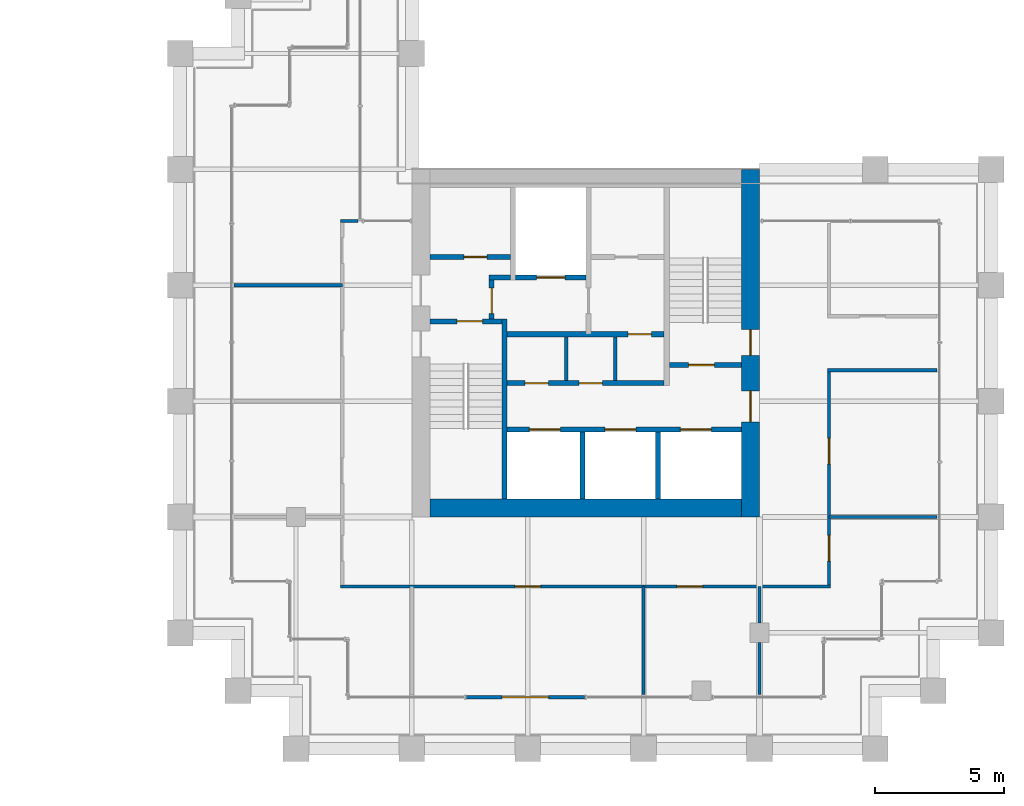
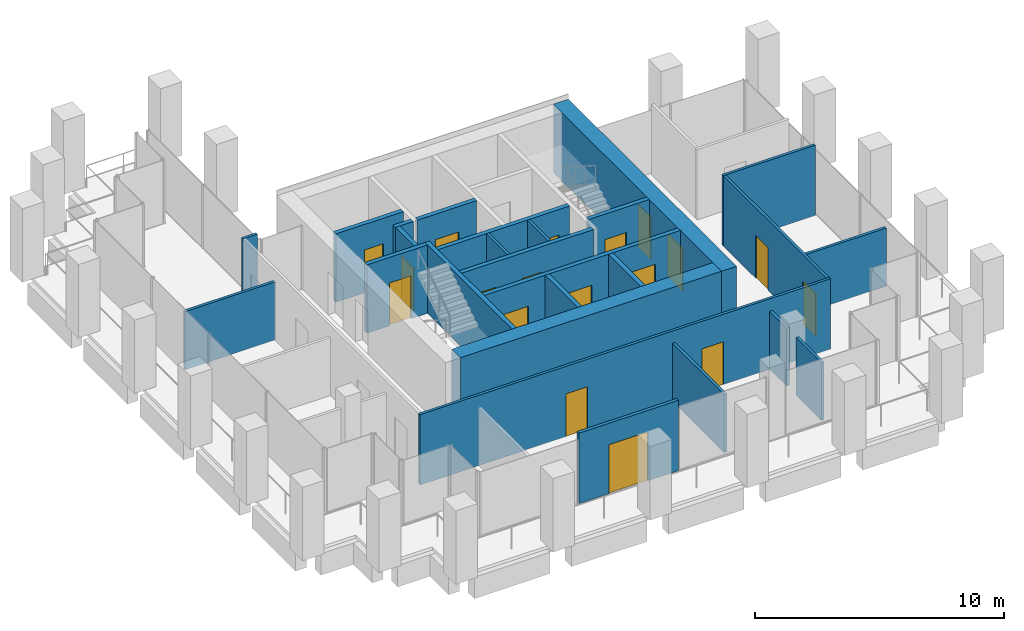
# One storey, part 43 of 47: 26 walls, 18 doors, 18 openings.
"""IFC4 building model written with IfcOpenShell, lengths in metres."""

from ifc_helpers import new_model, si_unit, direction, frame, frame_2d, origin, place, context, subcontext, project, spatial, rectangle, extrude, material, layer, layer_set, type_object, element, fill, save


model = new_model("IFC4")

# Units and contexts
model_context = context("Model", 3, precision=1e-05, world=origin(), true_north=direction((0.0, 1.0)))
body_context = subcontext(model_context, "Body", "Model", "MODEL_VIEW")
ifc_project = project(units=[si_unit("LENGTHUNIT", "METRE"), si_unit("AREAUNIT", "SQUARE_METRE"), si_unit("VOLUMEUNIT", "CUBIC_METRE"), si_unit("PLANEANGLEUNIT", "RADIAN"), si_unit("MASSUNIT", "GRAM", prefix="KILO")], contexts=[model_context])

# Site, building, storey
site_placement = place(None, origin())
site = spatial("IfcSite", under=ifc_project, at=site_placement, CompositionType="ELEMENT")
building_placement = place(site_placement, origin())
building = spatial("IfcBuilding", under=site, at=building_placement, Name="Altepetl Exchange Towers", CompositionType="ELEMENT")
storey_placement = place(building_placement, frame((0.0, 0.0, 95.60009765625)))
storey = spatial("IfcBuildingStorey", under=building, at=storey_placement, Name="L23", CompositionType="ELEMENT", Elevation=95.60009765625)

# Wall, openings, doors
ifc_material_1 = material(Name="Concrete C70/85", Category="concrete")
ifc_layer_1 = layer(ifc_material_1, 0.699951171875)
ifc_layer_set_1 = layer_set([ifc_layer_1], Name="Concrete C70/85")
wall_type_1 = type_object("IfcWallType", Name="Core wall 700 reinforced concrete", PredefinedType="SHEAR", material=ifc_layer_set_1)
wall_1_placement = place(storey_placement, frame((116.64990234375, 36.0, 0.0), z_axis=(0.0, 0.0, 1.0), x_axis=(0.0, 1.0, 0.0)))
wall_1 = element("IfcWall", 1, at=wall_1_placement, inside=storey, type_object=wall_type_1, Name="wall:B:L23:K-coreE", PredefinedType="SHEAR", context=body_context, shape_type="SweptSolid", body=[
    extrude(rectangle(XDim=13.5, YDim=0.699951171875, at=frame_2d((6.75, 0.0))), origin(), (0.0, 0.0, 1.0), 3.349853515625),
])
opening_1_placement = place(wall_1_placement, frame((3.699951171875, 0.0, 0.0)))
opening_1 = element("IfcOpeningElement", 2, at=opening_1_placement, cuts=wall_1, Name="Opening L23.B61", PredefinedType="OPENING", context=body_context, shape_type="SweptSolid", body=[
    extrude(rectangle(XDim=1.199951171875, YDim=2.10009765625, at=frame_2d((0.60009765625, 1.050048828125))), frame((0.0, 0.35986328125, 0.0), z_axis=(0.0, -1.0, 0.0), x_axis=(1.0, 0.0, 0.0)), (0.0, 0.0, 1.0), 0.719970703125),
])
opening_2_placement = place(wall_1_placement, frame((6.27490234375, 0.0, 0.0)))
opening_2 = element("IfcOpeningElement", 3, at=opening_2_placement, cuts=wall_1, Name="Opening L23.B65", PredefinedType="OPENING", context=body_context, shape_type="SweptSolid", body=[
    extrude(rectangle(XDim=1.0, YDim=2.10009765625, at=frame_2d((0.5, 1.050048828125))), frame((0.0, 0.35986328125, 0.0), z_axis=(0.0, -1.0, 0.0), x_axis=(1.0, 0.0, 0.0)), (0.0, 0.0, 1.0), 0.719970703125),
])
ifc_material_2 = material(Name="Steel and timber fire door", Category="steel")
door_type_1 = type_object("IfcDoorType", Name="Fire door 1000 x 2100 stair and lobby", OperationType="SINGLE_SWING_LEFT", PredefinedType="DOOR", material=ifc_material_2)
door_1_placement = place(opening_2_placement, origin())
door_1 = element("IfcDoor", 4, at=door_1_placement, inside=storey, type_object=door_type_1, Name="door:B:L23:K-dS2x", OperationType="SINGLE_SWING_LEFT", OverallHeight=2.10009765625, OverallWidth=1.0, PredefinedType="DOOR", context=body_context, shape_type="SweptSolid", body=[
    extrude(rectangle(XDim=1.0, YDim=2.10009765625, at=frame_2d((0.5, 1.050048828125))), frame((0.0, 0.02490234375, 0.0), z_axis=(0.0, -1.0, 0.0), x_axis=(1.0, 0.0, 0.0)), (0.0, 0.0, 1.0), 0.050048828125),
])
fill(opening_2, door_1)
door_type_2 = type_object("IfcDoorType", Name="Fire door 1200 x 2100 lobby entry", OperationType="SINGLE_SWING_LEFT", PredefinedType="DOOR", material=ifc_material_2)
door_2_placement = place(opening_1_placement, origin())
door_2 = element("IfcDoor", 5, at=door_2_placement, inside=storey, type_object=door_type_2, Name="door:B:L23:K-dLSE", OperationType="SINGLE_SWING_RIGHT", OverallHeight=2.10009765625, OverallWidth=1.199951171875, PredefinedType="DOOR", context=body_context, shape_type="SweptSolid", body=[
    extrude(rectangle(XDim=1.199951171875, YDim=2.10009765625, at=frame_2d((0.60009765625, 1.050048828125))), frame((0.0, 0.02490234375, 0.0), z_axis=(0.0, -1.0, 0.0), x_axis=(1.0, 0.0, 0.0)), (0.0, 0.0, 1.0), 0.050048828125),
])
fill(opening_1, door_2)

# Wall
wall_2_placement = place(storey_placement, frame((104.199951171875, 36.35009765625, 0.0)))
element("IfcWall", 6, at=wall_2_placement, inside=storey, type_object=wall_type_1, Name="wall:B:L23:K-coreS", PredefinedType="SHEAR", context=body_context, shape_type="SweptSolid", body=[
    extrude(rectangle(XDim=12.10009765625, YDim=0.699951171875, at=frame_2d((6.050048828125, 0.0))), origin(), (0.0, 0.0, 1.0), 3.349853515625),
])

# Wall, opening, door
ifc_material_3 = material(Name="Aluminium composite cladding", Category="aluminium")
ifc_layer_2 = layer(ifc_material_3, 0.14990234375)
ifc_layer_set_2 = layer_set([ifc_layer_2], Name="Aluminium composite cladding")
wall_type_2 = type_object("IfcWallType", Name="Infill wall 150 aluminium panel", PredefinedType="SOLIDWALL", material=ifc_layer_set_2)
wall_3_placement = place(storey_placement, frame((105.606201171875, 29.0, 0.0)))
wall_3 = element("IfcWall", 7, at=wall_3_placement, inside=storey, type_object=wall_type_2, Name="Loggia door bay wall", PredefinedType="SOLIDWALL", context=body_context, shape_type="SweptSolid", body=[
    extrude(rectangle(XDim=4.606201171875, YDim=0.14990234375, at=frame_2d((2.30322265625, 0.0))), origin(), (0.0, 0.0, 1.0), 3.449951171875),
])
opening_3_placement = place(wall_3_placement, frame((1.403076171875, 0.0, 0.0)))
opening_3 = element("IfcOpeningElement", 8, at=opening_3_placement, cuts=wall_3, Name="Opening L23.B90", PredefinedType="OPENING", context=body_context, shape_type="SweptSolid", body=[
    extrude(rectangle(XDim=1.800048828125, YDim=2.39990234375, at=frame_2d((0.89990234375, 1.199951171875))), frame((0.0, 0.0849609375, 0.0), z_axis=(0.0, -1.0, 0.0), x_axis=(1.0, 0.0, 0.0)), (0.0, 0.0, 1.0), 0.169921875),
])
ifc_material_4 = material(Name="Aluminium 6063-T6 and glass", Category="aluminium")
door_type_3 = type_object("IfcDoorType", Name="Glazed door pair 1800x2400", OperationType="DOUBLE_DOOR_DOUBLE_SWING", PredefinedType="NOTDEFINED", material=ifc_material_4)
door_3_placement = place(opening_3_placement, frame((1.800048828125, 0.0, 0.0), x_axis=(-1.0, 0.0, 0.0)))
door_3 = element("IfcDoor", 9, at=door_3_placement, inside=storey, type_object=door_type_3, Name="Loggia door", OperationType="DOUBLE_DOOR_DOUBLE_SWING", OverallHeight=2.39990234375, OverallWidth=1.800048828125, PredefinedType="NOTDEFINED", context=body_context, shape_type="SweptSolid", body=[
    extrude(rectangle(XDim=1.800048828125, YDim=2.39990234375, at=frame_2d((0.89990234375, 1.199951171875))), frame((0.0, 0.02490234375, 0.0), z_axis=(0.0, -1.0, 0.0), x_axis=(1.0, 0.0, 0.0)), (0.0, 0.0, 1.0), 0.050048828125),
])
fill(opening_3, door_3)

# Wall
ifc_material_5 = material(Name="Concrete blockwork", Category="masonry")
ifc_layer_3 = layer(ifc_material_5, 0.199951171875)
ifc_layer_set_3 = layer_set([ifc_layer_3], Name="Concrete blockwork")
wall_type_3 = type_object("IfcWallType", Name="Lobby wall 200 blockwork", PredefinedType="PARTITIONING", material=ifc_layer_set_3)
wall_4_placement = place(storey_placement, frame((106.5, 45.300048828125, 0.0)))
element("IfcWall", 10, at=wall_4_placement, inside=storey, type_object=wall_type_3, Name="wall:B:L23:K-ffNw", PredefinedType="PARTITIONING", context=body_context, shape_type="SweptSolid", body=[
    extrude(rectangle(XDim=0.833251953125, YDim=0.199951171875, at=frame_2d((0.41650390625, 0.0))), origin(), (0.0, 0.0, 1.0), 3.349853515625),
])

# Wall, opening, door
wall_5_placement = place(storey_placement, frame((106.60009765625, 43.699951171875, 0.0), z_axis=(0.0, 0.0, 1.0), x_axis=(0.0, 1.0, 0.0)))
wall_5 = element("IfcWall", 11, at=wall_5_placement, inside=storey, type_object=wall_type_3, Name="wall:B:L23:K-ffW", PredefinedType="PARTITIONING", context=body_context, shape_type="SweptSolid", body=[
    extrude(rectangle(XDim=1.5, YDim=0.199951171875, at=frame_2d((0.75, 0.0))), origin(), (0.0, 0.0, 1.0), 3.349853515625),
])
opening_4_placement = place(wall_5_placement, frame((0.199951171875, 0.0, 0.0)))
opening_4 = element("IfcOpeningElement", 12, at=opening_4_placement, cuts=wall_5, Name="Opening L23.B67", PredefinedType="OPENING", context=body_context, shape_type="SweptSolid", body=[
    extrude(rectangle(XDim=1.0, YDim=2.10009765625, at=frame_2d((0.5, 1.050048828125))), frame((0.0, 0.10986328125, 0.0), z_axis=(0.0, -1.0, 0.0), x_axis=(1.0, 0.0, 0.0)), (0.0, 0.0, 1.0), 0.219970703125),
])
door_4_placement = place(opening_4_placement, frame((1.0, 0.0, 0.0), x_axis=(-1.0, 0.0, 0.0)))
door_4 = element("IfcDoor", 13, at=door_4_placement, inside=storey, type_object=door_type_1, Name="door:B:L23:K-dffW", OperationType="SINGLE_SWING_LEFT", OverallHeight=2.10009765625, OverallWidth=1.0, PredefinedType="DOOR", context=body_context, shape_type="SweptSolid", body=[
    extrude(rectangle(XDim=1.0, YDim=2.10009765625, at=frame_2d((0.5, 1.050048828125))), frame((0.0, 0.02490234375, 0.0), z_axis=(0.0, -1.0, 0.0), x_axis=(1.0, 0.0, 0.0)), (0.0, 0.0, 1.0), 0.050048828125),
])
fill(opening_4, door_4)

wall_6_placement = place(storey_placement, frame((107.199951171875, 43.10009765625, 0.0)))
wall_6 = element("IfcWall", 14, at=wall_6_placement, inside=storey, type_object=wall_type_3, Name="wall:B:L23:K-zoneN", PredefinedType="PARTITIONING", context=body_context, shape_type="SweptSolid", body=[
    extrude(rectangle(XDim=6.10009765625, YDim=0.199951171875, at=frame_2d((3.050048828125, 0.0))), origin(), (0.0, 0.0, 1.0), 3.349853515625),
])
opening_5_placement = place(wall_6_placement, frame((4.699951171875, 0.0, 0.0)))
opening_5 = element("IfcOpeningElement", 15, at=opening_5_placement, cuts=wall_6, Name="Opening L23.B72", PredefinedType="OPENING", context=body_context, shape_type="SweptSolid", body=[
    extrude(rectangle(XDim=0.89990234375, YDim=2.10009765625, at=frame_2d((0.449951171875, 1.050048828125))), frame((0.0, 0.10986328125, 0.0), z_axis=(0.0, -1.0, 0.0), x_axis=(1.0, 0.0, 0.0)), (0.0, 0.0, 1.0), 0.219970703125),
])
door_type_4 = type_object("IfcDoorType", Name="Fire door 900 x 2100 service room", OperationType="SINGLE_SWING_LEFT", PredefinedType="DOOR", material=ifc_material_2)
door_5_placement = place(opening_5_placement, frame((0.89990234375, 0.0, 0.0), x_axis=(-1.0, 0.0, 0.0)))
door_5 = element("IfcDoor", 16, at=door_5_placement, inside=storey, type_object=door_type_4, Name="door:B:L23:K-dz3", OperationType="SINGLE_SWING_RIGHT", OverallHeight=2.10009765625, OverallWidth=0.89990234375, PredefinedType="DOOR", context=body_context, shape_type="SweptSolid", body=[
    extrude(rectangle(XDim=0.89990234375, YDim=2.10009765625, at=frame_2d((0.449951171875, 1.050048828125))), frame((0.0, 0.02490234375, 0.0), z_axis=(0.0, -1.0, 0.0), x_axis=(1.0, 0.0, 0.0)), (0.0, 0.0, 1.0), 0.050048828125),
])
fill(opening_5, door_5)

# Wall, openings, doors
wall_7_placement = place(storey_placement, frame((107.199951171875, 41.199951171875, 0.0)))
wall_7 = element("IfcWall", 17, at=wall_7_placement, inside=storey, type_object=wall_type_3, Name="wall:B:L23:K-zoneS", PredefinedType="PARTITIONING", context=body_context, shape_type="SweptSolid", body=[
    extrude(rectangle(XDim=6.10009765625, YDim=0.199951171875, at=frame_2d((3.050048828125, 0.0))), origin(), (0.0, 0.0, 1.0), 3.349853515625),
])
opening_6_placement = place(wall_7_placement, frame((0.699951171875, 0.0, 0.0)))
opening_6 = element("IfcOpeningElement", 18, at=opening_6_placement, cuts=wall_7, Name="Opening L23.B70", PredefinedType="OPENING", context=body_context, shape_type="SweptSolid", body=[
    extrude(rectangle(XDim=0.89990234375, YDim=2.10009765625, at=frame_2d((0.449951171875, 1.050048828125))), frame((0.0, 0.10986328125, 0.0), z_axis=(0.0, -1.0, 0.0), x_axis=(1.0, 0.0, 0.0)), (0.0, 0.0, 1.0), 0.219970703125),
])
opening_7_placement = place(wall_7_placement, frame((2.800048828125, 0.0, 0.0)))
opening_7 = element("IfcOpeningElement", 19, at=opening_7_placement, cuts=wall_7, Name="Opening L23.B71", PredefinedType="OPENING", context=body_context, shape_type="SweptSolid", body=[
    extrude(rectangle(XDim=0.89990234375, YDim=2.10009765625, at=frame_2d((0.449951171875, 1.050048828125))), frame((0.0, 0.10986328125, 0.0), z_axis=(0.0, -1.0, 0.0), x_axis=(1.0, 0.0, 0.0)), (0.0, 0.0, 1.0), 0.219970703125),
])
door_6_placement = place(opening_6_placement, origin())
door_6 = element("IfcDoor", 20, at=door_6_placement, inside=storey, type_object=door_type_4, Name="door:B:L23:K-dz1", OperationType="SINGLE_SWING_RIGHT", OverallHeight=2.10009765625, OverallWidth=0.89990234375, PredefinedType="DOOR", context=body_context, shape_type="SweptSolid", body=[
    extrude(rectangle(XDim=0.89990234375, YDim=2.10009765625, at=frame_2d((0.449951171875, 1.050048828125))), frame((0.0, 0.02490234375, 0.0), z_axis=(0.0, -1.0, 0.0), x_axis=(1.0, 0.0, 0.0)), (0.0, 0.0, 1.0), 0.050048828125),
])
fill(opening_6, door_6)
door_7_placement = place(opening_7_placement, origin())
door_7 = element("IfcDoor", 21, at=door_7_placement, inside=storey, type_object=door_type_4, Name="door:B:L23:K-dz2", OperationType="SINGLE_SWING_RIGHT", OverallHeight=2.10009765625, OverallWidth=0.89990234375, PredefinedType="DOOR", context=body_context, shape_type="SweptSolid", body=[
    extrude(rectangle(XDim=0.89990234375, YDim=2.10009765625, at=frame_2d((0.449951171875, 1.050048828125))), frame((0.0, 0.02490234375, 0.0), z_axis=(0.0, -1.0, 0.0), x_axis=(1.0, 0.0, 0.0)), (0.0, 0.0, 1.0), 0.050048828125),
])
fill(opening_7, door_7)

# Walls
ifc_material_6 = material(Name="Gypsum board on steel studs", Category="steel")
ifc_layer_4 = layer(ifc_material_6, 0.125)
ifc_layer_set_4 = layer_set([ifc_layer_4], Name="Gypsum board on steel studs")
wall_type_4 = type_object("IfcWallType", Name="Partition 125 gypsum board on steel studs", PredefinedType="PARTITIONING", material=ifc_layer_set_4)
for number, where, z_axis, x_axis, name in (
    (22, (109.5, 41.300048828125, 0.0), (0.0, 0.0, 1.0), (0.0, 1.0, 0.0), "wall:B:L23:K-zp1"),
    (23, (111.39990234375, 41.300048828125, 0.0), (0.0, 0.0, 1.0), (0.0, 1.0, 0.0), "wall:B:L23:K-zp2"),
):
    element("IfcWall", number, at=place(storey_placement, frame(where, z_axis=z_axis, x_axis=x_axis)), inside=storey, type_object=wall_type_4, Name=name, PredefinedType="PARTITIONING", context=body_context, shape_type="SweptSolid", body=[
        extrude(rectangle(XDim=1.699951171875, YDim=0.125, at=frame_2d((0.85009765625, 0.0))), origin(), (0.0, 0.0, 1.0), 3.349853515625),
    ])

# Wall, openings, doors
wall_8_placement = place(storey_placement, frame((100.737548828125, 33.300048828125, 0.0)))
wall_8 = element("IfcWall", 24, at=wall_8_placement, inside=storey, type_object=wall_type_4, Name="wall:B:L23:P01", PredefinedType="PARTITIONING", context=body_context, shape_type="SweptSolid", body=[
    extrude(rectangle(XDim=19.02490234375, YDim=0.125, at=frame_2d((9.512451171875, 0.0))), origin(), (0.0, 0.0, 1.0), 3.449951171875),
])
opening_8_placement = place(wall_8_placement, frame((6.762451171875, 0.0, 0.0)))
opening_8 = element("IfcOpeningElement", 25, at=opening_8_placement, cuts=wall_8, Name="Opening L23.B04", PredefinedType="OPENING", context=body_context, shape_type="SweptSolid", body=[
    extrude(rectangle(XDim=1.0, YDim=2.10009765625, at=frame_2d((0.5, 1.050048828125))), frame((0.0, 0.072509765625, 0.0), z_axis=(0.0, -1.0, 0.0), x_axis=(1.0, 0.0, 0.0)), (0.0, 0.0, 1.0), 0.14501953125),
])
opening_9_placement = place(wall_8_placement, frame((13.0576171875, 0.0, 0.0)))
opening_9 = element("IfcOpeningElement", 26, at=opening_9_placement, cuts=wall_8, Name="Opening L23.B05", PredefinedType="OPENING", context=body_context, shape_type="SweptSolid", body=[
    extrude(rectangle(XDim=1.0, YDim=2.10009765625, at=frame_2d((0.5, 1.050048828125))), frame((0.0, 0.072509765625, 0.0), z_axis=(0.0, -1.0, 0.0), x_axis=(1.0, 0.0, 0.0)), (0.0, 0.0, 1.0), 0.14501953125),
])
door_type_5 = type_object("IfcDoorType", Name="Fire door 1000 x 2100 single leaf", OperationType="SINGLE_SWING_LEFT", PredefinedType="DOOR", material=ifc_material_2)
door_8_placement = place(opening_8_placement, frame((1.0, 0.0, 0.0), x_axis=(-1.0, 0.0, 0.0)))
door_8 = element("IfcDoor", 27, at=door_8_placement, inside=storey, type_object=door_type_5, Name="door:B:L23:04", OperationType="SINGLE_SWING_RIGHT", OverallHeight=2.10009765625, OverallWidth=1.0, PredefinedType="DOOR", context=body_context, shape_type="SweptSolid", body=[
    extrude(rectangle(XDim=1.0, YDim=2.10009765625, at=frame_2d((0.5, 1.050048828125))), frame((0.0, 0.02490234375, 0.0), z_axis=(0.0, -1.0, 0.0), x_axis=(1.0, 0.0, 0.0)), (0.0, 0.0, 1.0), 0.050048828125),
])
fill(opening_8, door_8)
door_9_placement = place(opening_9_placement, frame((1.0, 0.0, 0.0), x_axis=(-1.0, 0.0, 0.0)))
door_9 = element("IfcDoor", 28, at=door_9_placement, inside=storey, type_object=door_type_5, Name="door:B:L23:05", OperationType="SINGLE_SWING_RIGHT", OverallHeight=2.10009765625, OverallWidth=1.0, PredefinedType="DOOR", context=body_context, shape_type="SweptSolid", body=[
    extrude(rectangle(XDim=1.0, YDim=2.10009765625, at=frame_2d((0.5, 1.050048828125))), frame((0.0, 0.02490234375, 0.0), z_axis=(0.0, -1.0, 0.0), x_axis=(1.0, 0.0, 0.0)), (0.0, 0.0, 1.0), 0.050048828125),
])
fill(opening_9, door_9)

# Walls
wall_9_placement = place(storey_placement, frame((119.699951171875, 36.0, 0.0)))
element("IfcWall", 29, at=wall_9_placement, inside=storey, type_object=wall_type_4, Name="wall:B:L23:P04", PredefinedType="PARTITIONING", context=body_context, shape_type="SweptSolid", body=[
    extrude(rectangle(XDim=4.199951171875, YDim=0.125, at=frame_2d((2.10009765625, 0.0))), origin(), (0.0, 0.0, 1.0), 2.850830078125),
])
wall_10_placement = place(storey_placement, frame((119.637451171875, 41.699951171875, 0.0)))
element("IfcWall", 30, at=wall_10_placement, inside=storey, type_object=wall_type_4, Name="wall:B:L23:P06", PredefinedType="PARTITIONING", context=body_context, shape_type="SweptSolid", body=[
    extrude(rectangle(XDim=4.262451171875, YDim=0.125, at=frame_2d((2.13134765625, 0.0))), origin(), (0.0, 0.0, 1.0), 3.449951171875),
])
wall_11_placement = place(storey_placement, frame((96.60009765625, 45.0, 0.0)))
element("IfcWall", 31, at=wall_11_placement, inside=storey, type_object=wall_type_4, Name="wall:B:L23:P08", PredefinedType="PARTITIONING", context=body_context, shape_type="SweptSolid", body=[
    extrude(rectangle(XDim=4.199951171875, YDim=0.125, at=frame_2d((2.10009765625, 0.0))), origin(), (0.0, 0.0, 1.0), 2.850830078125),
])
wall_12_placement = place(storey_placement, frame((100.737548828125, 47.5, 0.0)))
element("IfcWall", 32, at=wall_12_placement, inside=storey, type_object=wall_type_4, Name="wall:B:L23:P09", PredefinedType="PARTITIONING", context=body_context, shape_type="SweptSolid", body=[
    extrude(rectangle(XDim=0.662353515625, YDim=0.125, at=frame_2d((0.3310546875, 0.0))), origin(), (0.0, 0.0, 1.0), 3.449951171875),
])
wall_13_placement = place(storey_placement, frame((112.5, 29.10009765625, 0.0), z_axis=(0.0, 0.0, 1.0), x_axis=(0.0, 1.0, 0.0)))
element("IfcWall", 33, at=wall_13_placement, inside=storey, type_object=wall_type_4, Name="wall:B:L23:P12", PredefinedType="PARTITIONING", context=body_context, shape_type="SweptSolid", body=[
    extrude(rectangle(XDim=4.199951171875, YDim=0.125, at=frame_2d((2.10009765625, 0.0))), origin(), (0.0, 0.0, 1.0), 2.850830078125),
])
wall_14_placement = place(storey_placement, frame((117.0, 29.10009765625, 0.0), z_axis=(0.0, 0.0, 1.0), x_axis=(0.0, 1.0, 0.0)))
element("IfcWall", 34, at=wall_14_placement, inside=storey, type_object=wall_type_4, Name="wall:B:L23:P13", PredefinedType="PARTITIONING", context=body_context, shape_type="SweptSolid", body=[
    extrude(rectangle(XDim=2.02490234375, YDim=0.125, at=frame_2d((1.012451171875, 0.0))), origin(), (0.0, 0.0, 1.0), 2.841796875),
])
wall_15_placement = place(storey_placement, frame((117.0, 31.875, 0.0), z_axis=(0.0, 0.0, 1.0), x_axis=(0.0, 1.0, 0.0)))
element("IfcWall", 35, at=wall_15_placement, inside=storey, type_object=wall_type_4, Name="wall:B:L23:P14", PredefinedType="PARTITIONING", context=body_context, shape_type="SweptSolid", body=[
    extrude(rectangle(XDim=1.425048828125, YDim=0.125, at=frame_2d((0.71240234375, 0.0))), origin(), (0.0, 0.0, 1.0), 2.841796875),
])

# Wall, openings, doors
wall_16_placement = place(storey_placement, frame((119.699951171875, 33.362548828125, 0.0), z_axis=(0.0, 0.0, 1.0), x_axis=(0.0, 1.0, 0.0)))
wall_16 = element("IfcWall", 36, at=wall_16_placement, inside=storey, type_object=wall_type_4, Name="wall:B:L23:P15", PredefinedType="PARTITIONING", context=body_context, shape_type="SweptSolid", body=[
    extrude(rectangle(XDim=8.27490234375, YDim=0.125, at=frame_2d((4.137451171875, 0.0))), origin(), (0.0, 0.0, 1.0), 3.449951171875),
])
opening_10_placement = place(wall_16_placement, frame((0.927490234375, 0.0, 0.0)))
opening_10 = element("IfcOpeningElement", 37, at=opening_10_placement, cuts=wall_16, Name="Opening L23.B06", PredefinedType="OPENING", context=body_context, shape_type="SweptSolid", body=[
    extrude(rectangle(XDim=1.0, YDim=2.10009765625, at=frame_2d((0.5, 1.050048828125))), frame((0.0, 0.072509765625, 0.0), z_axis=(0.0, -1.0, 0.0), x_axis=(1.0, 0.0, 0.0)), (0.0, 0.0, 1.0), 0.14501953125),
])
opening_11_placement = place(wall_16_placement, frame((4.6875, 0.0, 0.0)))
opening_11 = element("IfcOpeningElement", 38, at=opening_11_placement, cuts=wall_16, Name="Opening L23.B07", PredefinedType="OPENING", context=body_context, shape_type="SweptSolid", body=[
    extrude(rectangle(XDim=1.0, YDim=2.10009765625, at=frame_2d((0.5, 1.050048828125))), frame((0.0, 0.072509765625, 0.0), z_axis=(0.0, -1.0, 0.0), x_axis=(1.0, 0.0, 0.0)), (0.0, 0.0, 1.0), 0.14501953125),
])
door_10_placement = place(opening_10_placement, origin())
door_10 = element("IfcDoor", 39, at=door_10_placement, inside=storey, type_object=door_type_5, Name="door:B:L23:06", OperationType="SINGLE_SWING_LEFT", OverallHeight=2.10009765625, OverallWidth=1.0, PredefinedType="DOOR", context=body_context, shape_type="SweptSolid", body=[
    extrude(rectangle(XDim=1.0, YDim=2.10009765625, at=frame_2d((0.5, 1.050048828125))), frame((0.0, 0.02490234375, 0.0), z_axis=(0.0, -1.0, 0.0), x_axis=(1.0, 0.0, 0.0)), (0.0, 0.0, 1.0), 0.050048828125),
])
fill(opening_10, door_10)
door_11_placement = place(opening_11_placement, frame((1.0, 0.0, 0.0), x_axis=(-1.0, 0.0, 0.0)))
door_11 = element("IfcDoor", 40, at=door_11_placement, inside=storey, type_object=door_type_5, Name="door:B:L23:07", OperationType="SINGLE_SWING_LEFT", OverallHeight=2.10009765625, OverallWidth=1.0, PredefinedType="DOOR", context=body_context, shape_type="SweptSolid", body=[
    extrude(rectangle(XDim=1.0, YDim=2.10009765625, at=frame_2d((0.5, 1.050048828125))), frame((0.0, 0.02490234375, 0.0), z_axis=(0.0, -1.0, 0.0), x_axis=(1.0, 0.0, 0.0)), (0.0, 0.0, 1.0), 0.050048828125),
])
fill(opening_11, door_11)

# Walls
ifc_material_7 = material(Name="Concrete C40/50", Category="concrete")
ifc_layer_5 = layer(ifc_material_7, 0.199951171875)
ifc_layer_set_5 = layer_set([ifc_layer_5], Name="Concrete C40/50")
wall_type_5 = type_object("IfcWallType", Name="Shaft wall 200 reinforced concrete", PredefinedType="SHEAR", material=ifc_layer_set_5)
for number, where, z_axis, x_axis, name in (
    (41, (110.13330078125, 36.699951171875, 0.0), (0.0, 0.0, 1.0), (0.0, 1.0, 0.0), "wall:B:L23:K-divS1"),
    (42, (113.066650390625, 36.699951171875, 0.0), (0.0, 0.0, 1.0), (0.0, 1.0, 0.0), "wall:B:L23:K-divS2"),
):
    element("IfcWall", number, at=place(storey_placement, frame(where, z_axis=z_axis, x_axis=x_axis)), inside=storey, type_object=wall_type_5, Name=name, PredefinedType="SHEAR", context=body_context, shape_type="SweptSolid", body=[
        extrude(rectangle(XDim=2.60009765625, YDim=0.199951171875, at=frame_2d((1.300048828125, 0.0))), origin(), (0.0, 0.0, 1.0), 3.349853515625),
    ])

# Wall, opening, door
wall_17_placement = place(storey_placement, frame((104.199951171875, 46.10009765625, 0.0)))
wall_17 = element("IfcWall", 43, at=wall_17_placement, inside=storey, type_object=wall_type_5, Name="wall:B:L23:K-frontNa", PredefinedType="SHEAR", context=body_context, shape_type="SweptSolid", body=[
    extrude(rectangle(XDim=3.13330078125, YDim=0.199951171875, at=frame_2d((1.566650390625, 0.0))), origin(), (0.0, 0.0, 1.0), 3.349853515625),
])
opening_12_placement = place(wall_17_placement, frame((1.316650390625, 0.0, 0.0)))
opening_12 = element("IfcOpeningElement", 44, at=opening_12_placement, cuts=wall_17, Name="Opening L23.B68", PredefinedType="OPENING", context=body_context, shape_type="SweptSolid", body=[
    extrude(rectangle(XDim=0.89990234375, YDim=2.10009765625, at=frame_2d((0.449951171875, 1.050048828125))), frame((0.0, 0.10986328125, 0.0), z_axis=(0.0, -1.0, 0.0), x_axis=(1.0, 0.0, 0.0)), (0.0, 0.0, 1.0), 0.219970703125),
])
door_12_placement = place(opening_12_placement, origin())
door_12 = element("IfcDoor", 45, at=door_12_placement, inside=storey, type_object=door_type_4, Name="door:B:L23:K-dslotN0", OperationType="SINGLE_SWING_RIGHT", OverallHeight=2.10009765625, OverallWidth=0.89990234375, PredefinedType="DOOR", context=body_context, shape_type="SweptSolid", body=[
    extrude(rectangle(XDim=0.89990234375, YDim=2.10009765625, at=frame_2d((0.449951171875, 1.050048828125))), frame((0.0, 0.02490234375, 0.0), z_axis=(0.0, -1.0, 0.0), x_axis=(1.0, 0.0, 0.0)), (0.0, 0.0, 1.0), 0.050048828125),
])
fill(opening_12, door_12)

wall_18_placement = place(storey_placement, frame((107.533203125, 45.300048828125, 0.0)))
wall_18 = element("IfcWall", 46, at=wall_18_placement, inside=storey, type_object=wall_type_5, Name="wall:B:L23:K-frontNd", PredefinedType="SHEAR", context=body_context, shape_type="SweptSolid", body=[
    extrude(rectangle(XDim=2.7333984375, YDim=0.199951171875, at=frame_2d((1.36669921875, 0.0))), origin(), (0.0, 0.0, 1.0), 3.349853515625),
])
opening_13_placement = place(wall_18_placement, frame((0.816650390625, 0.0, 0.0)))
opening_13 = element("IfcOpeningElement", 47, at=opening_13_placement, cuts=wall_18, Name="Opening L23.B73", PredefinedType="OPENING", context=body_context, shape_type="SweptSolid", body=[
    extrude(rectangle(XDim=1.10009765625, YDim=2.10009765625, at=frame_2d((0.550048828125, 1.050048828125))), frame((0.0, 0.10986328125, 0.0), z_axis=(0.0, -1.0, 0.0), x_axis=(1.0, 0.0, 0.0)), (0.0, 0.0, 1.0), 0.219970703125),
])
ifc_material_8 = material(Name="Stainless steel", Category="steel")
door_type_6 = type_object("IfcDoorType", Name="Lift landing door 1100 x 2100", OperationType="SLIDING_TO_LEFT", PredefinedType="DOOR", material=ifc_material_8)
door_13_placement = place(opening_13_placement, origin())
door_13 = element("IfcDoor", 48, at=door_13_placement, inside=storey, type_object=door_type_6, Name="Landing door FFL1", OperationType="SLIDING_TO_LEFT", OverallHeight=2.10009765625, OverallWidth=1.10009765625, PredefinedType="DOOR", context=body_context, shape_type="SweptSolid", body=[
    extrude(rectangle(XDim=1.10009765625, YDim=2.10009765625, at=frame_2d((0.550048828125, 1.050048828125))), frame((0.0, 0.02490234375, 0.0), z_axis=(0.0, -1.0, 0.0), x_axis=(1.0, 0.0, 0.0)), (0.0, 0.0, 1.0), 0.050048828125),
])
fill(opening_13, door_13)

# Wall, openings, doors
wall_19_placement = place(storey_placement, frame((107.199951171875, 39.39990234375, 0.0)))
wall_19 = element("IfcWall", 49, at=wall_19_placement, inside=storey, type_object=wall_type_5, Name="wall:B:L23:K-frontS", PredefinedType="SHEAR", context=body_context, shape_type="SweptSolid", body=[
    extrude(rectangle(XDim=9.10009765625, YDim=0.199951171875, at=frame_2d((4.550048828125, 0.0))), origin(), (0.0, 0.0, 1.0), 3.349853515625),
])
opening_14_placement = place(wall_19_placement, frame((0.86669921875, 0.0, 0.0)))
opening_14 = element("IfcOpeningElement", 50, at=opening_14_placement, cuts=wall_19, Name="Opening L23.B74", PredefinedType="OPENING", context=body_context, shape_type="SweptSolid", body=[
    extrude(rectangle(XDim=1.199951171875, YDim=2.10009765625, at=frame_2d((0.60009765625, 1.050048828125))), frame((0.0, 0.10986328125, 0.0), z_axis=(0.0, -1.0, 0.0), x_axis=(1.0, 0.0, 0.0)), (0.0, 0.0, 1.0), 0.219970703125),
])
opening_15_placement = place(wall_19_placement, frame((3.800048828125, 0.0, 0.0)))
opening_15 = element("IfcOpeningElement", 51, at=opening_15_placement, cuts=wall_19, Name="Opening L23.B75", PredefinedType="OPENING", context=body_context, shape_type="SweptSolid", body=[
    extrude(rectangle(XDim=1.199951171875, YDim=2.10009765625, at=frame_2d((0.60009765625, 1.050048828125))), frame((0.0, 0.10986328125, 0.0), z_axis=(0.0, -1.0, 0.0), x_axis=(1.0, 0.0, 0.0)), (0.0, 0.0, 1.0), 0.219970703125),
])
opening_16_placement = place(wall_19_placement, frame((6.7333984375, 0.0, 0.0)))
opening_16 = element("IfcOpeningElement", 52, at=opening_16_placement, cuts=wall_19, Name="Opening L23.B76", PredefinedType="OPENING", context=body_context, shape_type="SweptSolid", body=[
    extrude(rectangle(XDim=1.199951171875, YDim=2.10009765625, at=frame_2d((0.60009765625, 1.050048828125))), frame((0.0, 0.10986328125, 0.0), z_axis=(0.0, -1.0, 0.0), x_axis=(1.0, 0.0, 0.0)), (0.0, 0.0, 1.0), 0.219970703125),
])
door_type_7 = type_object("IfcDoorType", Name="Lift landing door 1200 x 2100", OperationType="SLIDING_TO_LEFT", PredefinedType="DOOR", material=ifc_material_8)
door_14_placement = place(opening_14_placement, origin())
door_14 = element("IfcDoor", 53, at=door_14_placement, inside=storey, type_object=door_type_7, Name="Landing door P1", OperationType="SLIDING_TO_LEFT", OverallHeight=2.10009765625, OverallWidth=1.199951171875, PredefinedType="DOOR", context=body_context, shape_type="SweptSolid", body=[
    extrude(rectangle(XDim=1.199951171875, YDim=2.10009765625, at=frame_2d((0.60009765625, 1.050048828125))), frame((0.0, 0.02490234375, 0.0), z_axis=(0.0, -1.0, 0.0), x_axis=(1.0, 0.0, 0.0)), (0.0, 0.0, 1.0), 0.050048828125),
])
fill(opening_14, door_14)
door_15_placement = place(opening_15_placement, origin())
door_15 = element("IfcDoor", 54, at=door_15_placement, inside=storey, type_object=door_type_7, Name="Landing door P2", OperationType="SLIDING_TO_LEFT", OverallHeight=2.10009765625, OverallWidth=1.199951171875, PredefinedType="DOOR", context=body_context, shape_type="SweptSolid", body=[
    extrude(rectangle(XDim=1.199951171875, YDim=2.10009765625, at=frame_2d((0.60009765625, 1.050048828125))), frame((0.0, 0.02490234375, 0.0), z_axis=(0.0, -1.0, 0.0), x_axis=(1.0, 0.0, 0.0)), (0.0, 0.0, 1.0), 0.050048828125),
])
fill(opening_15, door_15)
door_16_placement = place(opening_16_placement, origin())
door_16 = element("IfcDoor", 55, at=door_16_placement, inside=storey, type_object=door_type_7, Name="Landing door P3", OperationType="SLIDING_TO_LEFT", OverallHeight=2.10009765625, OverallWidth=1.199951171875, PredefinedType="DOOR", context=body_context, shape_type="SweptSolid", body=[
    extrude(rectangle(XDim=1.199951171875, YDim=2.10009765625, at=frame_2d((0.60009765625, 1.050048828125))), frame((0.0, 0.02490234375, 0.0), z_axis=(0.0, -1.0, 0.0), x_axis=(1.0, 0.0, 0.0)), (0.0, 0.0, 1.0), 0.050048828125),
])
fill(opening_16, door_16)

# Wall
ifc_layer_6 = layer(ifc_material_7, 0.199951171875)
ifc_layer_set_6 = layer_set([ifc_layer_6], Name="Concrete C40/50")
wall_type_6 = type_object("IfcWallType", Name="Stair wall 200 reinforced concrete", PredefinedType="SHEAR", material=ifc_layer_set_6)
wall_20_placement = place(storey_placement, frame((107.10009765625, 36.699951171875, 0.0), z_axis=(0.0, 0.0, 1.0), x_axis=(0.0, 1.0, 0.0)))
element("IfcWall", 56, at=wall_20_placement, inside=storey, type_object=wall_type_6, Name="wall:B:L23:K-stS1E", PredefinedType="SHEAR", context=body_context, shape_type="SweptSolid", body=[
    extrude(rectangle(XDim=7.0, YDim=0.199951171875, at=frame_2d((3.5, 0.0))), origin(), (0.0, 0.0, 1.0), 3.349853515625),
])

# Wall, opening, door
wall_21_placement = place(storey_placement, frame((104.199951171875, 43.60009765625, 0.0)))
wall_21 = element("IfcWall", 57, at=wall_21_placement, inside=storey, type_object=wall_type_6, Name="wall:B:L23:K-stS1N", PredefinedType="SHEAR", context=body_context, shape_type="SweptSolid", body=[
    extrude(rectangle(XDim=2.800048828125, YDim=0.199951171875, at=frame_2d((1.39990234375, 0.0))), origin(), (0.0, 0.0, 1.0), 3.349853515625),
])
opening_17_placement = place(wall_21_placement, frame((1.050048828125, 0.0, 0.0)))
opening_17 = element("IfcOpeningElement", 58, at=opening_17_placement, cuts=wall_21, Name="Opening L23.B62", PredefinedType="OPENING", context=body_context, shape_type="SweptSolid", body=[
    extrude(rectangle(XDim=1.0, YDim=2.10009765625, at=frame_2d((0.5, 1.050048828125))), frame((0.0, 0.10986328125, 0.0), z_axis=(0.0, -1.0, 0.0), x_axis=(1.0, 0.0, 0.0)), (0.0, 0.0, 1.0), 0.219970703125),
])
door_17_placement = place(opening_17_placement, frame((1.0, 0.0, 0.0), x_axis=(-1.0, 0.0, 0.0)))
door_17 = element("IfcDoor", 59, at=door_17_placement, inside=storey, type_object=door_type_1, Name="door:B:L23:K-dS1in", OperationType="SINGLE_SWING_LEFT", OverallHeight=2.10009765625, OverallWidth=1.0, PredefinedType="DOOR", context=body_context, shape_type="SweptSolid", body=[
    extrude(rectangle(XDim=1.0, YDim=2.10009765625, at=frame_2d((0.5, 1.050048828125))), frame((0.0, 0.02490234375, 0.0), z_axis=(0.0, -1.0, 0.0), x_axis=(1.0, 0.0, 0.0)), (0.0, 0.0, 1.0), 0.050048828125),
])
fill(opening_17, door_17)

wall_22_placement = place(storey_placement, frame((113.5, 41.89990234375, 0.0)))
wall_22 = element("IfcWall", 60, at=wall_22_placement, inside=storey, type_object=wall_type_6, Name="wall:B:L23:K-stS2S", PredefinedType="SHEAR", context=body_context, shape_type="SweptSolid", body=[
    extrude(rectangle(XDim=2.800048828125, YDim=0.199951171875, at=frame_2d((1.39990234375, 0.0))), origin(), (0.0, 0.0, 1.0), 3.349853515625),
])
opening_18_placement = place(wall_22_placement, frame((0.75, 0.0, 0.0)))
opening_18 = element("IfcOpeningElement", 61, at=opening_18_placement, cuts=wall_22, Name="Opening L23.B64", PredefinedType="OPENING", context=body_context, shape_type="SweptSolid", body=[
    extrude(rectangle(XDim=1.0, YDim=2.10009765625, at=frame_2d((0.5, 1.050048828125))), frame((0.0, 0.10986328125, 0.0), z_axis=(0.0, -1.0, 0.0), x_axis=(1.0, 0.0, 0.0)), (0.0, 0.0, 1.0), 0.219970703125),
])
door_18_placement = place(opening_18_placement, origin())
door_18 = element("IfcDoor", 62, at=door_18_placement, inside=storey, type_object=door_type_1, Name="door:B:L23:K-dS2in", OperationType="SINGLE_SWING_RIGHT", OverallHeight=2.10009765625, OverallWidth=1.0, PredefinedType="DOOR", context=body_context, shape_type="SweptSolid", body=[
    extrude(rectangle(XDim=1.0, YDim=2.10009765625, at=frame_2d((0.5, 1.050048828125))), frame((0.0, 0.02490234375, 0.0), z_axis=(0.0, -1.0, 0.0), x_axis=(1.0, 0.0, 0.0)), (0.0, 0.0, 1.0), 0.050048828125),
])
fill(opening_18, door_18)

save(model, "model.ifc")
